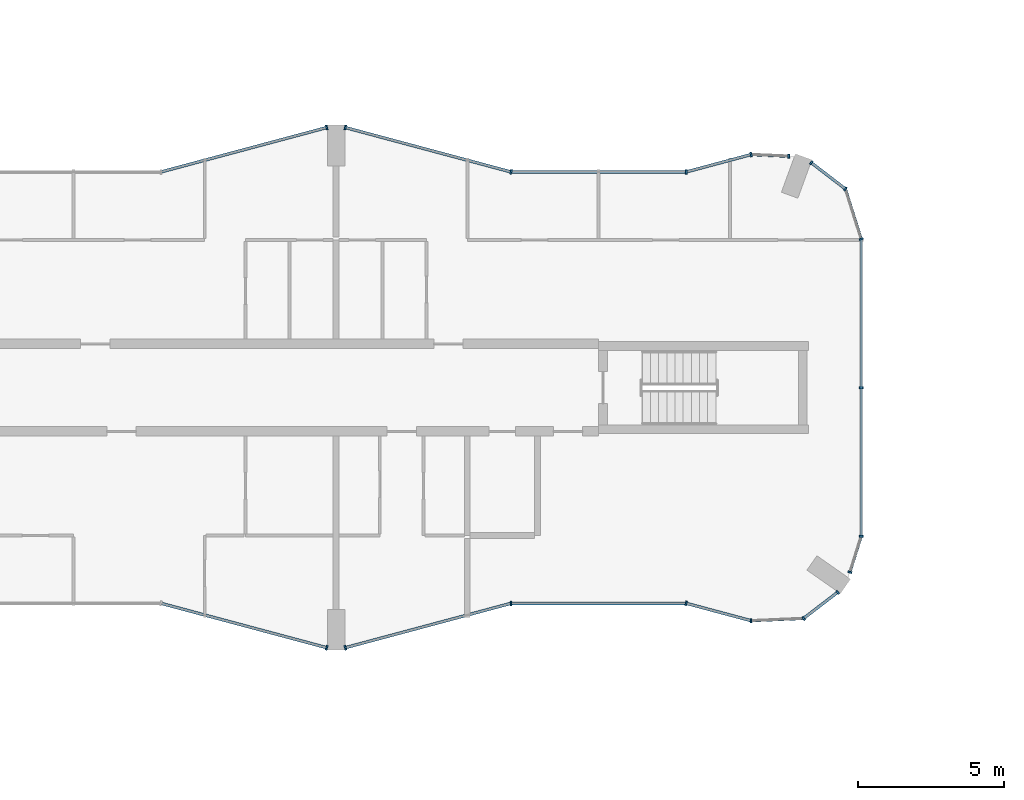
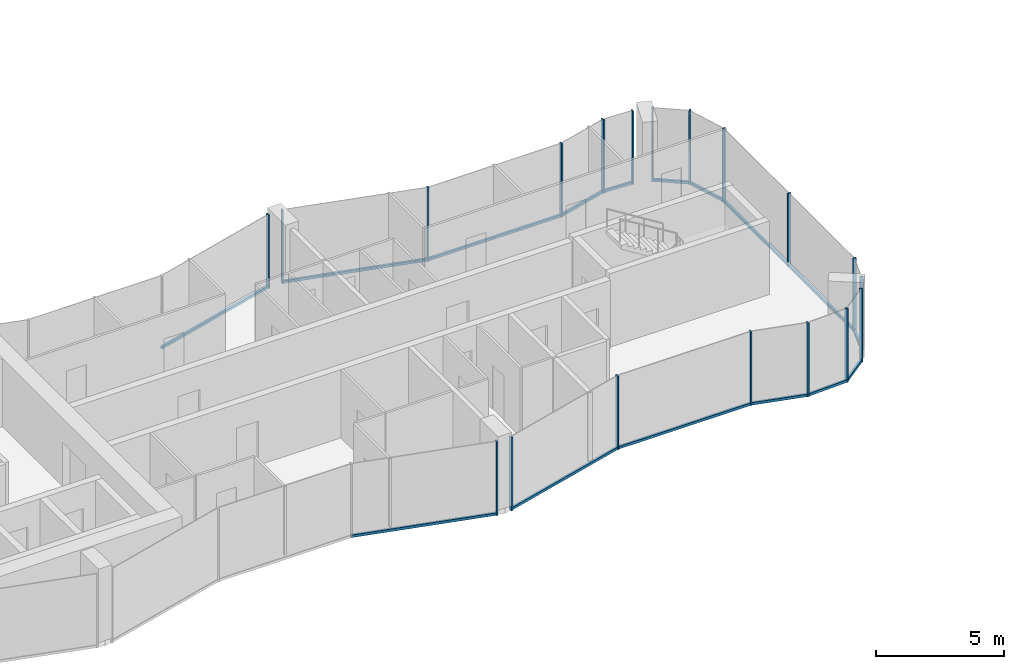
# One storey, part 5 of 23: 34 members, 15 elements without a shape of their own.
"""IFC4 building model written with IfcOpenShell, lengths in metres."""

from ifc_helpers import new_model, si_unit, direction, frame, origin, origin_2d, place, context, subcontext, project, spatial, rectangle, extrude, material, layer, layer_set, material_profile, profile_set, type_object, element, aggregate, save


model = new_model("IFC4")

# Units and contexts
model_context = context("Model", 3, precision=1e-05, world=origin(), true_north=direction((0.0, 1.0)))
body_context = subcontext(model_context, "Body", "Model", "MODEL_VIEW")
ifc_project = project(units=[si_unit("LENGTHUNIT", "METRE"), si_unit("AREAUNIT", "SQUARE_METRE"), si_unit("VOLUMEUNIT", "CUBIC_METRE"), si_unit("PLANEANGLEUNIT", "RADIAN"), si_unit("MASSUNIT", "GRAM", prefix="KILO")], contexts=[model_context])

# Site, building, storey
site_placement = place(None, origin())
site = spatial("IfcSite", under=ifc_project, at=site_placement, CompositionType="ELEMENT")
building_placement = place(site_placement, origin())
building = spatial("IfcBuilding", under=site, at=building_placement, Name="Plateau Cross Towers", CompositionType="ELEMENT")
storey_placement = place(building_placement, frame((0.0, 0.0, 92.300048828125)))
storey = spatial("IfcBuildingStorey", under=building, at=storey_placement, Name="L23", CompositionType="ELEMENT", Elevation=92.300048828125)

# Curtain wall, member
ifc_material_1 = material(Name="Dark low-iron glass", Category="glass")
ifc_layer_1 = layer(ifc_material_1, 0.239990234375)
ifc_layer_set_1 = layer_set([ifc_layer_1], Name="Dark low-iron glass")
curtain_wall_type_1 = type_object("IfcCurtainWallType", Name="Curtain wall flush unitised CW-B", PredefinedType="NOTDEFINED", material=ifc_layer_set_1)
curtain_wall_1_placement = place(storey_placement, origin())
curtain_wall_1 = element("IfcCurtainWall", 1, at=curtain_wall_1_placement, inside=storey, type_object=curtain_wall_type_1, Name="ENV/A/L23/A502_10", PredefinedType="NOTDEFINED")
ifc_material_2 = material(Name="Black anodised aluminium", Category="aluminium")
ifc_material_profile_1 = material_profile(ifc_material_2, rectangle(XDim=0.06005859375, YDim=0.139892578125, at=origin_2d()), Name="MULLION 60x140")
ifc_profile_set_1 = profile_set([ifc_material_profile_1], Name="Black anodised aluminium")
member_type_1 = type_object("IfcMemberType", Name="Mullion 60x140 flush unitised", PredefinedType="MULLION", material=ifc_profile_set_1)
member_1_placement = place(storey_placement, frame((50.223876953125, 1.01123046875, -0.25), z_axis=(0.0, 0.0, 1.0), x_axis=(0.999043701491, 0.043722791671, 0.0)))
member_1 = element("IfcMember", 2, at=member_1_placement, type_object=member_type_1, Name="CW-B mullion 1", PredefinedType="MULLION", context=body_context, shape_type="SweptSolid", body=[
    extrude(rectangle(XDim=0.06005859375, YDim=0.139892578125, at=origin_2d()), origin(), (0.0, 0.0, 1.0), 3.5),
])

# Curtain wall, members
curtain_wall_2_placement = place(storey_placement, origin())
curtain_wall_2 = element("IfcCurtainWall", 3, at=curtain_wall_2_placement, inside=storey, type_object=curtain_wall_type_1, Name="ENV/A/L23/A520_11", PredefinedType="NOTDEFINED")
member_2_placement = place(storey_placement, frame((52.0263671875, 1.090087890625, -0.25), z_axis=(0.0, 0.0, 1.0), x_axis=(0.793315514529, 0.608810721331, 0.0)))
member_2 = element("IfcMember", 4, at=member_2_placement, type_object=member_type_1, Name="CW-B mullion 1", PredefinedType="MULLION", context=body_context, shape_type="SweptSolid", body=[
    extrude(rectangle(XDim=0.06005859375, YDim=0.139892578125, at=origin_2d()), origin(), (0.0, 0.0, 1.0), 3.5),
])
member_3_placement = place(storey_placement, frame((53.193603515625, 1.986083984375, -0.25), z_axis=(0.0, 0.0, 1.0), x_axis=(0.793315514529, 0.608810721331, 0.0)))
member_3 = element("IfcMember", 5, at=member_3_placement, type_object=member_type_1, Name="CW-B mullion 2", PredefinedType="MULLION", context=body_context, shape_type="SweptSolid", body=[
    extrude(rectangle(XDim=0.06005859375, YDim=0.139892578125, at=origin_2d()), origin(), (0.0, 0.0, 1.0), 3.5),
])

# Curtain wall, member
curtain_wall_3_placement = place(storey_placement, origin())
curtain_wall_3 = element("IfcCurtainWall", 6, at=curtain_wall_3_placement, inside=storey, type_object=curtain_wall_type_1, Name="ENV/A/L23/A536_27", PredefinedType="NOTDEFINED")
member_4_placement = place(storey_placement, frame((53.611083984375, 2.67529296875, -0.25), z_axis=(0.0, 0.0, 1.0), x_axis=(0.300686174994, 0.95372313811, 0.0)))
member_4 = element("IfcMember", 7, at=member_4_placement, type_object=member_type_1, Name="CW-B mullion 1", PredefinedType="MULLION", context=body_context, shape_type="SweptSolid", body=[
    extrude(rectangle(XDim=0.06005859375, YDim=0.139892578125, at=origin_2d()), origin(), (0.0, 0.0, 1.0), 3.5),
])

# Curtain wall, members
curtain_wall_4_placement = place(storey_placement, origin())
curtain_wall_4 = element("IfcCurtainWall", 8, at=curtain_wall_4_placement, inside=storey, type_object=curtain_wall_type_1, Name="ENV/A/L23/A540_39", PredefinedType="NOTDEFINED")
member_5_placement = place(storey_placement, frame((54.0, 3.9091796875, -0.25), z_axis=(0.0, 0.0, 1.0), x_axis=(0.0, 1.0, 0.0)))
member_5 = element("IfcMember", 9, at=member_5_placement, type_object=member_type_1, Name="CW-B mullion 1", PredefinedType="MULLION", context=body_context, shape_type="SweptSolid", body=[
    extrude(rectangle(XDim=0.06005859375, YDim=0.139892578125, at=origin_2d()), origin(), (0.0, 0.0, 1.0), 3.5),
])
member_6_placement = place(storey_placement, frame((54.0, 9.0, -0.25), z_axis=(0.0, 0.0, 1.0), x_axis=(0.0, 1.0, 0.0)))
member_6 = element("IfcMember", 10, at=member_6_placement, type_object=member_type_1, Name="CW-B mullion 2", PredefinedType="MULLION", context=body_context, shape_type="SweptSolid", body=[
    extrude(rectangle(XDim=0.06005859375, YDim=0.139892578125, at=origin_2d()), origin(), (0.0, 0.0, 1.0), 3.5),
])

# Curtain wall, member
curtain_wall_5_placement = place(storey_placement, origin())
curtain_wall_5 = element("IfcCurtainWall", 11, at=curtain_wall_5_placement, inside=storey, type_object=curtain_wall_type_1, Name="ENV/A/L23/A540_141", PredefinedType="NOTDEFINED")
member_7_placement = place(storey_placement, frame((54.0, 14.0908203125, -0.25), z_axis=(0.0, 0.0, 1.0), x_axis=(-0.300686174994, 0.95372313811, 0.0)))
member_7 = element("IfcMember", 12, at=member_7_placement, type_object=member_type_1, Name="CW-B mullion 1", PredefinedType="MULLION", context=body_context, shape_type="SweptSolid", body=[
    extrude(rectangle(XDim=0.06005859375, YDim=0.139892578125, at=origin_2d()), origin(), (0.0, 0.0, 1.0), 3.5),
])

# Curtain wall, members
curtain_wall_6_placement = place(storey_placement, origin())
curtain_wall_6 = element("IfcCurtainWall", 13, at=curtain_wall_6_placement, inside=storey, type_object=curtain_wall_type_1, Name="ENV/A/L23/A535_158", PredefinedType="NOTDEFINED")
member_8_placement = place(storey_placement, frame((53.45751953125, 15.8115234375, -0.25), z_axis=(0.0, 0.0, 1.0), x_axis=(-0.793315514529, 0.608810721331, 0.0)))
member_8 = element("IfcMember", 14, at=member_8_placement, type_object=member_type_1, Name="CW-B mullion 1", PredefinedType="MULLION", context=body_context, shape_type="SweptSolid", body=[
    extrude(rectangle(XDim=0.06005859375, YDim=0.139892578125, at=origin_2d()), origin(), (0.0, 0.0, 1.0), 3.5),
])
member_9_placement = place(storey_placement, frame((52.290283203125, 16.707275390625, -0.25), z_axis=(0.0, 0.0, 1.0), x_axis=(-0.793315514529, 0.608810721331, 0.0)))
member_9 = element("IfcMember", 15, at=member_9_placement, type_object=member_type_1, Name="CW-B mullion 2", PredefinedType="MULLION", context=body_context, shape_type="SweptSolid", body=[
    extrude(rectangle(XDim=0.06005859375, YDim=0.139892578125, at=origin_2d()), origin(), (0.0, 0.0, 1.0), 3.5),
])

# Curtain wall, member
curtain_wall_7_placement = place(storey_placement, origin())
curtain_wall_7 = element("IfcCurtainWall", 16, at=curtain_wall_7_placement, inside=storey, type_object=curtain_wall_type_1, Name="ENV/A/L23/A515_169", PredefinedType="NOTDEFINED")
member_10_placement = place(storey_placement, frame((51.516357421875, 16.93212890625, -0.25), z_axis=(0.0, 0.0, 1.0), x_axis=(-0.999043701491, 0.043722791671, 0.0)))
member_10 = element("IfcMember", 17, at=member_10_placement, type_object=member_type_1, Name="CW-B mullion 1", PredefinedType="MULLION", context=body_context, shape_type="SweptSolid", body=[
    extrude(rectangle(XDim=0.06005859375, YDim=0.139892578125, at=origin_2d()), origin(), (0.0, 0.0, 1.0), 3.5),
])

ifc_layer_2 = layer(ifc_material_1, 0.260009765625)
ifc_layer_set_2 = layer_set([ifc_layer_2], Name="Dark low-iron glass")
curtain_wall_type_2 = type_object("IfcCurtainWallType", Name="Curtain wall fluted unitised CW-A", PredefinedType="NOTDEFINED", material=ifc_layer_set_2)
curtain_wall_8_placement = place(storey_placement, origin())
curtain_wall_8 = element("IfcCurtainWall", 18, at=curtain_wall_8_placement, inside=storey, type_object=curtain_wall_type_2, Name="ENV/A/L23/A300_16", PredefinedType="NOTDEFINED")
ifc_material_profile_2 = material_profile(ifc_material_2, rectangle(XDim=0.06005859375, YDim=0.159912109375, at=origin_2d()), Name="MULLION 60x160")
ifc_profile_set_2 = profile_set([ifc_material_profile_2], Name="Black anodised aluminium")
member_type_2 = type_object("IfcMemberType", Name="Mullion 60x160 fluted unitised", PredefinedType="MULLION", material=ifc_profile_set_2)
member_11_placement = place(storey_placement, frame((35.68212890625, 0.085205078125, -0.25), z_axis=(0.0, 0.0, 1.0), x_axis=(0.965957983404, -0.258699003279, 0.0)))
member_11 = element("IfcMember", 19, at=member_11_placement, type_object=member_type_2, Name="CW-A mullion 2", PredefinedType="MULLION", context=body_context, shape_type="SweptSolid", body=[
    extrude(rectangle(XDim=0.06005859375, YDim=0.159912109375, at=origin_2d()), origin(), (0.0, 0.0, 1.0), 3.5),
])

curtain_wall_9_placement = place(storey_placement, origin())
curtain_wall_9 = element("IfcCurtainWall", 20, at=curtain_wall_9_placement, inside=storey, type_object=curtain_wall_type_2, Name="ENV/A/L23/A363_1", PredefinedType="NOTDEFINED")
member_12_placement = place(storey_placement, frame((36.31787109375, 0.085205078125, -0.25), z_axis=(0.0, 0.0, 1.0), x_axis=(0.965957983404, 0.258699003279, 0.0)))
member_12 = element("IfcMember", 21, at=member_12_placement, type_object=member_type_2, Name="CW-A mullion 1", PredefinedType="MULLION", context=body_context, shape_type="SweptSolid", body=[
    extrude(rectangle(XDim=0.06005859375, YDim=0.159912109375, at=origin_2d()), origin(), (0.0, 0.0, 1.0), 3.5),
])

curtain_wall_10_placement = place(storey_placement, origin())
curtain_wall_10 = element("IfcCurtainWall", 22, at=curtain_wall_10_placement, inside=storey, type_object=curtain_wall_type_2, Name="ENV/A/L23/A420_16", PredefinedType="NOTDEFINED")
member_13_placement = place(storey_placement, frame((42.0, 1.60693359375, -0.25), z_axis=(0.0, 0.0, 1.0), x_axis=(1.0, 0.0, 0.0)))
member_13 = element("IfcMember", 23, at=member_13_placement, type_object=member_type_2, Name="CW-A mullion 1", PredefinedType="MULLION", context=body_context, shape_type="SweptSolid", body=[
    extrude(rectangle(XDim=0.06005859375, YDim=0.159912109375, at=origin_2d()), origin(), (0.0, 0.0, 1.0), 3.5),
])

curtain_wall_11_placement = place(storey_placement, origin())
curtain_wall_11 = element("IfcCurtainWall", 24, at=curtain_wall_11_placement, inside=storey, type_object=curtain_wall_type_2, Name="ENV/A/L23/A480_16", PredefinedType="NOTDEFINED")
member_14_placement = place(storey_placement, frame((48.0, 1.60693359375, -0.25), z_axis=(0.0, 0.0, 1.0), x_axis=(0.965957962328, -0.258699081978, 0.0)))
member_14 = element("IfcMember", 25, at=member_14_placement, type_object=member_type_2, Name="CW-A mullion 1", PredefinedType="MULLION", context=body_context, shape_type="SweptSolid", body=[
    extrude(rectangle(XDim=0.06005859375, YDim=0.159912109375, at=origin_2d()), origin(), (0.0, 0.0, 1.0), 3.5),
])

curtain_wall_12_placement = place(storey_placement, origin())
curtain_wall_12 = element("IfcCurtainWall", 26, at=curtain_wall_12_placement, inside=storey, type_object=curtain_wall_type_2, Name="ENV/A/L23/A502_170", PredefinedType="NOTDEFINED")
member_15_placement = place(storey_placement, frame((50.223876953125, 16.98876953125, -0.25), z_axis=(0.0, 0.0, 1.0), x_axis=(-0.965957962328, -0.258699081978, 0.0)))
member_15 = element("IfcMember", 27, at=member_15_placement, type_object=member_type_2, Name="CW-A mullion 1", PredefinedType="MULLION", context=body_context, shape_type="SweptSolid", body=[
    extrude(rectangle(XDim=0.06005859375, YDim=0.159912109375, at=origin_2d()), origin(), (0.0, 0.0, 1.0), 3.5),
])

curtain_wall_13_placement = place(storey_placement, origin())
curtain_wall_13 = element("IfcCurtainWall", 28, at=curtain_wall_13_placement, inside=storey, type_object=curtain_wall_type_2, Name="ENV/A/L23/A480_164", PredefinedType="NOTDEFINED")
member_16_placement = place(storey_placement, frame((48.0, 16.39306640625, -0.25), z_axis=(0.0, 0.0, 1.0), x_axis=(-1.0, 0.0, 0.0)))
member_16 = element("IfcMember", 29, at=member_16_placement, type_object=member_type_2, Name="CW-A mullion 1", PredefinedType="MULLION", context=body_context, shape_type="SweptSolid", body=[
    extrude(rectangle(XDim=0.06005859375, YDim=0.159912109375, at=origin_2d()), origin(), (0.0, 0.0, 1.0), 3.5),
])

# Curtain wall, members
curtain_wall_14_placement = place(storey_placement, origin())
curtain_wall_14 = element("IfcCurtainWall", 30, at=curtain_wall_14_placement, inside=storey, type_object=curtain_wall_type_2, Name="ENV/A/L23/A420_164", PredefinedType="NOTDEFINED")
member_17_placement = place(storey_placement, frame((42.0, 16.39306640625, -0.25), z_axis=(0.0, 0.0, 1.0), x_axis=(-0.965957983404, 0.258699003279, 0.0)))
member_17 = element("IfcMember", 31, at=member_17_placement, type_object=member_type_2, Name="CW-A mullion 1", PredefinedType="MULLION", context=body_context, shape_type="SweptSolid", body=[
    extrude(rectangle(XDim=0.06005859375, YDim=0.159912109375, at=origin_2d()), origin(), (0.0, 0.0, 1.0), 3.5),
])
member_18_placement = place(storey_placement, frame((36.31787109375, 17.914794921875, -0.25), z_axis=(0.0, 0.0, 1.0), x_axis=(-0.965957983404, 0.258699003279, 0.0)))
member_18 = element("IfcMember", 32, at=member_18_placement, type_object=member_type_2, Name="CW-A mullion 2", PredefinedType="MULLION", context=body_context, shape_type="SweptSolid", body=[
    extrude(rectangle(XDim=0.06005859375, YDim=0.159912109375, at=origin_2d()), origin(), (0.0, 0.0, 1.0), 3.5),
])

# Curtain wall, member
curtain_wall_15_placement = place(storey_placement, origin())
curtain_wall_15 = element("IfcCurtainWall", 33, at=curtain_wall_15_placement, inside=storey, type_object=curtain_wall_type_2, Name="ENV/A/L23/A357_179", PredefinedType="NOTDEFINED")
member_19_placement = place(storey_placement, frame((35.68212890625, 17.914794921875, -0.25), z_axis=(0.0, 0.0, 1.0), x_axis=(-0.965957983404, -0.258699003279, 0.0)))
member_19 = element("IfcMember", 34, at=member_19_placement, type_object=member_type_2, Name="CW-A mullion 1", PredefinedType="MULLION", context=body_context, shape_type="SweptSolid", body=[
    extrude(rectangle(XDim=0.06005859375, YDim=0.159912109375, at=origin_2d()), origin(), (0.0, 0.0, 1.0), 3.5),
])

# Member
ifc_material_profile_3 = material_profile(ifc_material_2, rectangle(XDim=0.10009765625, YDim=0.1201171875, at=origin_2d()), Name="TRANSOM 100x120")
ifc_profile_set_3 = profile_set([ifc_material_profile_3], Name="Black anodised aluminium")
member_type_3 = type_object("IfcMemberType", Name="Transom 100x120 flush unitised", PredefinedType="USERDEFINED", material=ifc_profile_set_3)
member_20_placement = place(storey_placement, frame((50.223876953125, 1.01123046875, -0.18994140625), z_axis=(0.999044377355, 0.043707345779, 0.0), x_axis=(-0.043707345779, 0.999044377355, 0.0)))
member_20 = element("IfcMember", 35, at=member_20_placement, type_object=member_type_3, Name="CW-B transom", ObjectType="TRANSOM", PredefinedType="USERDEFINED", context=body_context, shape_type="SweptSolid", body=[
    extrude(rectangle(XDim=0.10009765625, YDim=0.1201171875, at=origin_2d()), origin(), (0.0, 0.0, 1.0), 1.80419921875),
])

aggregate(curtain_wall_1, [member_1, member_20])

member_21_placement = place(storey_placement, frame((52.0263671875, 1.090087890625, -0.18994140625), z_axis=(0.793240368515, 0.608908628415, 0.0), x_axis=(-0.608908628415, 0.793240368515, 0.0)))
member_21 = element("IfcMember", 36, at=member_21_placement, type_object=member_type_3, Name="CW-B transom", ObjectType="TRANSOM", PredefinedType="USERDEFINED", context=body_context, shape_type="SweptSolid", body=[
    extrude(rectangle(XDim=0.10009765625, YDim=0.1201171875, at=origin_2d()), origin(), (0.0, 0.0, 1.0), 1.471435546875),
])

aggregate(curtain_wall_2, [member_2, member_3, member_21])

member_22_placement = place(storey_placement, frame((53.611083984375, 2.67529296875, -0.18994140625), z_axis=(0.300616528216, 0.953745093284, 0.0), x_axis=(-0.953745093284, 0.300616528216, 0.0)))
member_22 = element("IfcMember", 37, at=member_22_placement, type_object=member_type_3, Name="CW-B transom", ObjectType="TRANSOM", PredefinedType="USERDEFINED", context=body_context, shape_type="SweptSolid", body=[
    extrude(rectangle(XDim=0.10009765625, YDim=0.1201171875, at=origin_2d()), origin(), (0.0, 0.0, 1.0), 1.293701171875),
])

aggregate(curtain_wall_3, [member_4, member_22])

member_23_placement = place(storey_placement, frame((54.0, 3.9091796875, -0.18994140625), z_axis=(0.0, 1.0, 0.0), x_axis=(-1.0, 0.0, 0.0)))
member_23 = element("IfcMember", 38, at=member_23_placement, type_object=member_type_3, Name="CW-B transom", ObjectType="TRANSOM", PredefinedType="USERDEFINED", context=body_context, shape_type="SweptSolid", body=[
    extrude(rectangle(XDim=0.10009765625, YDim=0.1201171875, at=origin_2d()), origin(), (0.0, 0.0, 1.0), 10.181640625),
])

aggregate(curtain_wall_4, [member_5, member_6, member_23])

member_24_placement = place(storey_placement, frame((54.0, 14.0908203125, -0.18994140625), z_axis=(-0.30067799945, 0.953725715626, 0.0), x_axis=(-0.953725715626, -0.30067799945, 0.0)))
member_24 = element("IfcMember", 39, at=member_24_placement, type_object=member_type_3, Name="CW-B transom", ObjectType="TRANSOM", PredefinedType="USERDEFINED", context=body_context, shape_type="SweptSolid", body=[
    extrude(rectangle(XDim=0.10009765625, YDim=0.1201171875, at=origin_2d()), origin(), (0.0, 0.0, 1.0), 1.80419921875),
])

aggregate(curtain_wall_5, [member_7, member_24])

member_25_placement = place(storey_placement, frame((53.45751953125, 15.8115234375, -0.18994140625), z_axis=(-0.793320508571, 0.608804213751, 0.0), x_axis=(-0.608804213751, -0.793320508571, 0.0)))
member_25 = element("IfcMember", 40, at=member_25_placement, type_object=member_type_3, Name="CW-B transom", ObjectType="TRANSOM", PredefinedType="USERDEFINED", context=body_context, shape_type="SweptSolid", body=[
    extrude(rectangle(XDim=0.10009765625, YDim=0.1201171875, at=origin_2d()), origin(), (0.0, 0.0, 1.0), 1.471435546875),
])

aggregate(curtain_wall_6, [member_8, member_9, member_25])

member_26_placement = place(storey_placement, frame((51.516357421875, 16.93212890625, -0.18994140625), z_axis=(-0.999041144614, 0.043781175963, 0.0), x_axis=(-0.043781175963, -0.999041144614, 0.0)))
member_26 = element("IfcMember", 41, at=member_26_placement, type_object=member_type_3, Name="CW-B transom", ObjectType="TRANSOM", PredefinedType="USERDEFINED", context=body_context, shape_type="SweptSolid", body=[
    extrude(rectangle(XDim=0.10009765625, YDim=0.1201171875, at=origin_2d()), origin(), (0.0, 0.0, 1.0), 1.293701171875),
])

aggregate(curtain_wall_7, [member_10, member_26])

ifc_material_profile_4 = material_profile(ifc_material_2, rectangle(XDim=0.10009765625, YDim=0.1201171875, at=origin_2d()), Name="TRANSOM 100x120")
ifc_profile_set_4 = profile_set([ifc_material_profile_4], Name="Black anodised aluminium")
member_type_4 = type_object("IfcMemberType", Name="Transom 100x120 fluted unitised", PredefinedType="USERDEFINED", material=ifc_profile_set_4)
member_27_placement = place(storey_placement, frame((30.0, 1.60693359375, -0.18994140625), z_axis=(0.965959534794, -0.258693210465, 0.0), x_axis=(0.258693210465, 0.965959534794, 0.0)))
member_27 = element("IfcMember", 42, at=member_27_placement, type_object=member_type_4, Name="CW-A transom", ObjectType="TRANSOM", PredefinedType="USERDEFINED", context=body_context, shape_type="SweptSolid", body=[
    extrude(rectangle(XDim=0.10009765625, YDim=0.1201171875, at=origin_2d()), origin(), (0.0, 0.0, 1.0), 5.88232421875),
])

aggregate(curtain_wall_8, [member_11, member_27])

member_28_placement = place(storey_placement, frame((36.31787109375, 0.085205078125, -0.18994140625), z_axis=(0.965959534794, 0.258693210465, 0.0), x_axis=(-0.258693210465, 0.965959534794, 0.0)))
member_28 = element("IfcMember", 43, at=member_28_placement, type_object=member_type_4, Name="CW-A transom", ObjectType="TRANSOM", PredefinedType="USERDEFINED", context=body_context, shape_type="SweptSolid", body=[
    extrude(rectangle(XDim=0.10009765625, YDim=0.1201171875, at=origin_2d()), origin(), (0.0, 0.0, 1.0), 5.88232421875),
])

aggregate(curtain_wall_9, [member_12, member_28])

member_29_placement = place(storey_placement, frame((42.0, 1.60693359375, -0.18994140625), z_axis=(1.0, 0.0, 0.0), x_axis=(0.0, 1.0, 0.0)))
member_29 = element("IfcMember", 44, at=member_29_placement, type_object=member_type_4, Name="CW-A transom", ObjectType="TRANSOM", PredefinedType="USERDEFINED", context=body_context, shape_type="SweptSolid", body=[
    extrude(rectangle(XDim=0.10009765625, YDim=0.1201171875, at=origin_2d()), origin(), (0.0, 0.0, 1.0), 6.0),
])

aggregate(curtain_wall_10, [member_13, member_29])

member_30_placement = place(storey_placement, frame((48.0, 1.60693359375, -0.18994140625), z_axis=(0.965945685136, -0.258744919501, 0.0), x_axis=(0.258744919501, 0.965945685136, 0.0)))
member_30 = element("IfcMember", 45, at=member_30_placement, type_object=member_type_4, Name="CW-A transom", ObjectType="TRANSOM", PredefinedType="USERDEFINED", context=body_context, shape_type="SweptSolid", body=[
    extrude(rectangle(XDim=0.10009765625, YDim=0.1201171875, at=origin_2d()), origin(), (0.0, 0.0, 1.0), 2.30224609375),
])

aggregate(curtain_wall_11, [member_14, member_30])

member_31_placement = place(storey_placement, frame((50.223876953125, 16.98876953125, -0.18994140625), z_axis=(-0.965945685136, -0.258744919501, 0.0), x_axis=(0.258744919501, -0.965945685136, 0.0)))
member_31 = element("IfcMember", 46, at=member_31_placement, type_object=member_type_4, Name="CW-A transom", ObjectType="TRANSOM", PredefinedType="USERDEFINED", context=body_context, shape_type="SweptSolid", body=[
    extrude(rectangle(XDim=0.10009765625, YDim=0.1201171875, at=origin_2d()), origin(), (0.0, 0.0, 1.0), 2.30224609375),
])

aggregate(curtain_wall_12, [member_15, member_31])

member_32_placement = place(storey_placement, frame((48.0, 16.39306640625, -0.18994140625), z_axis=(-1.0, 0.0, 0.0), x_axis=(0.0, -1.0, 0.0)))
member_32 = element("IfcMember", 47, at=member_32_placement, type_object=member_type_4, Name="CW-A transom", ObjectType="TRANSOM", PredefinedType="USERDEFINED", context=body_context, shape_type="SweptSolid", body=[
    extrude(rectangle(XDim=0.10009765625, YDim=0.1201171875, at=origin_2d()), origin(), (0.0, 0.0, 1.0), 6.0),
])

aggregate(curtain_wall_13, [member_16, member_32])

member_33_placement = place(storey_placement, frame((42.0, 16.39306640625, -0.18994140625), z_axis=(-0.965959534794, 0.258693210465, 0.0), x_axis=(-0.258693210465, -0.965959534794, 0.0)))
member_33 = element("IfcMember", 48, at=member_33_placement, type_object=member_type_4, Name="CW-A transom", ObjectType="TRANSOM", PredefinedType="USERDEFINED", context=body_context, shape_type="SweptSolid", body=[
    extrude(rectangle(XDim=0.10009765625, YDim=0.1201171875, at=origin_2d()), origin(), (0.0, 0.0, 1.0), 5.88232421875),
])

aggregate(curtain_wall_14, [member_17, member_18, member_33])

member_34_placement = place(storey_placement, frame((35.68212890625, 17.914794921875, -0.18994140625), z_axis=(-0.965959534794, -0.258693210465, 0.0), x_axis=(0.258693210465, -0.965959534794, 0.0)))
member_34 = element("IfcMember", 49, at=member_34_placement, type_object=member_type_4, Name="CW-A transom", ObjectType="TRANSOM", PredefinedType="USERDEFINED", context=body_context, shape_type="SweptSolid", body=[
    extrude(rectangle(XDim=0.10009765625, YDim=0.1201171875, at=origin_2d()), origin(), (0.0, 0.0, 1.0), 5.88232421875),
])

aggregate(curtain_wall_15, [member_19, member_34])

save(model, "model.ifc")
